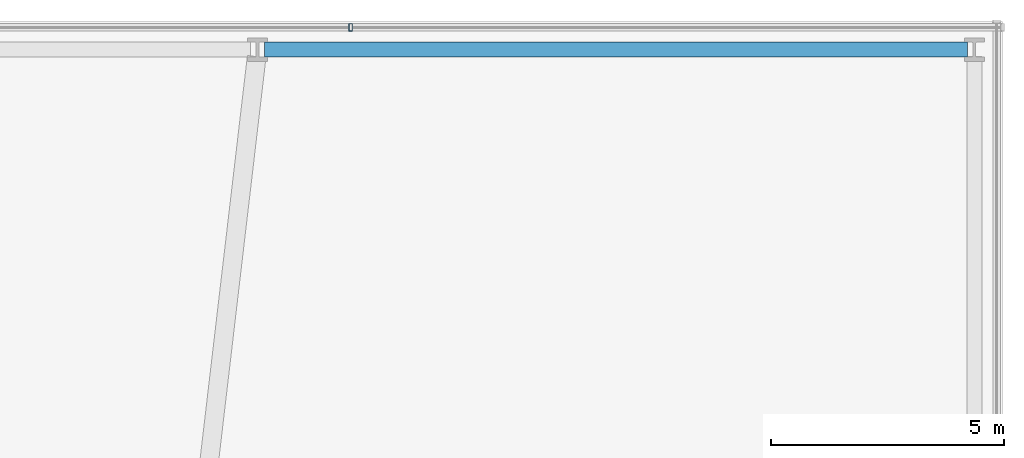
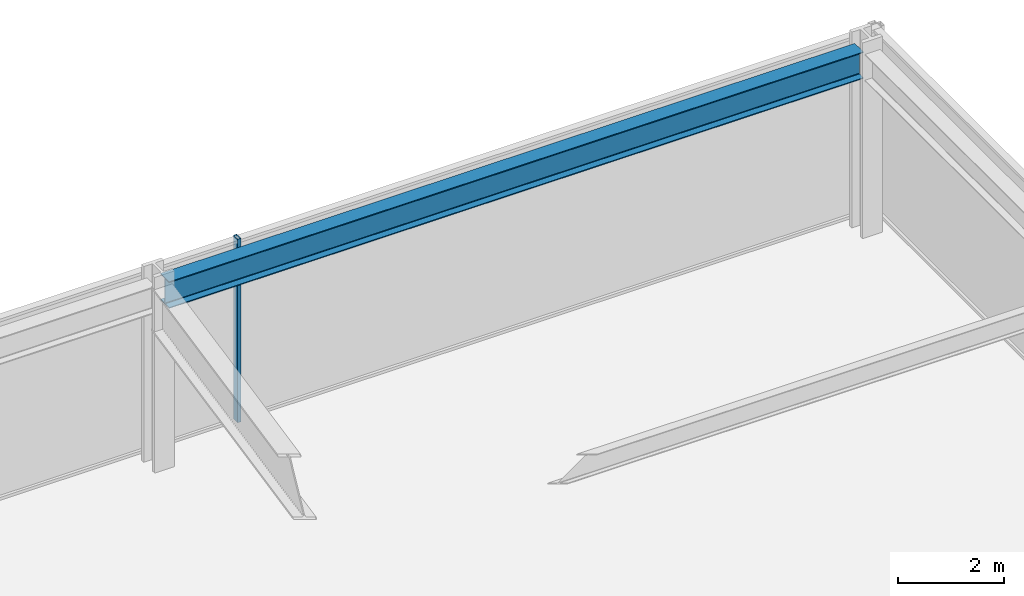
# One storey, part 35 of 47: 1 beam, 1 member, 1 element without a shape of its own.
"""IFC4 building model written with IfcOpenShell, lengths in metres."""

from ifc_helpers import new_model, si_unit, direction, frame, origin, origin_2d, place, context, subcontext, project, spatial, hollow_rectangle, i_section, extrude, material, material_profile, profile_set, type_object, element, aggregate, save


model = new_model("IFC4")

# Units and contexts
model_context = context("Model", 3, precision=1e-05, world=origin(), true_north=direction((0.0, 1.0)))
body_context = subcontext(model_context, "Body", "Model", "MODEL_VIEW")
ifc_project = project(units=[si_unit("LENGTHUNIT", "METRE"), si_unit("AREAUNIT", "SQUARE_METRE"), si_unit("VOLUMEUNIT", "CUBIC_METRE"), si_unit("PLANEANGLEUNIT", "RADIAN"), si_unit("MASSUNIT", "GRAM", prefix="KILO")], contexts=[model_context])

# Site, building, storey
site_placement = place(None, origin())
site = spatial("IfcSite", under=ifc_project, at=site_placement, CompositionType="ELEMENT")
building_placement = place(site_placement, origin())
building = spatial("IfcBuilding", under=site, at=building_placement, Name="Kolvaren Belvedere", CompositionType="ELEMENT")
storey_placement = place(building_placement, frame((0.0, 0.0, 5.5)))
storey = spatial("IfcBuildingStorey", under=building, at=storey_placement, Name="L02", CompositionType="ELEMENT", Elevation=5.5)

# Beam
ifc_material_1 = material(Name="Structural steel ASTM A992 Grade 50", Category="steel")
ifc_material_profile_1 = material_profile(ifc_material_1, i_section(OverallWidth=0.324951171875, OverallDepth=0.615966796875, WebThickness=0.013916015625, FlangeThickness=0.021484375, FilletRadius=0.02001953125, at=origin_2d()), Name="W24X117")
ifc_profile_set_1 = profile_set([ifc_material_profile_1], Name="Structural steel ASTM A992 Grade 50")
beam_type = type_object("IfcBeamType", Name="BM-SPAN-W24X117", PredefinedType="SPANDREL", material=ifc_profile_set_1)
beam_placement = place(storey_placement, frame((12.14990234375, 27.800048828125, 3.912109375), z_axis=(1.0, 0.0, 0.0), x_axis=(0.0, 1.0, 0.0)))
element("IfcBeam", 1, at=beam_placement, inside=storey, type_object=beam_type, Name="L02 North Podium Spandrel 3", PredefinedType="SPANDREL", context=body_context, shape_type="SweptSolid", body=[
    extrude(i_section(OverallWidth=0.324951171875, OverallDepth=0.615966796875, WebThickness=0.013916015625, FlangeThickness=0.021484375, FilletRadius=0.02001953125, at=origin_2d()), origin(), (0.0, 0.0, 1.0), 15.10009765625),
])

# Curtain wall, member
ifc_material_2 = material(Name="Anodised pale-metal aluminium AA 6063-T6", Category="aluminium")
curtain_wall_type = type_object("IfcCurtainWallType", Name="CW-POD-A", PredefinedType="NOTDEFINED", material=ifc_material_2)
curtain_wall_placement = place(storey_placement, origin())
curtain_wall = element("IfcCurtainWall", 2, at=curtain_wall_placement, inside=storey, type_object=curtain_wall_type, Name="L02 Unitised Curtain Wall FCW-L02-SEG7", PredefinedType="NOTDEFINED")
ifc_material_3 = material(Name="Anodised pale-metal aluminium AA 6063-T6", Category="aluminium")
ifc_material_profile_2 = material_profile(ifc_material_3, hollow_rectangle(XDim=0.074951171875, YDim=0.159912109375, WallThickness=0.00439453125, at=origin_2d()), Name="ALU-MUL-160X75")
ifc_profile_set_2 = profile_set([ifc_material_profile_2], Name="Anodised pale-metal aluminium AA 6063-T6")
member_type = type_object("IfcMemberType", Name="CW-MUL-160", PredefinedType="MULLION", material=ifc_profile_set_2)
member_placement = place(storey_placement, frame((14.0, 28.280029296875, 0.0), z_axis=(0.0, 0.0, 1.0), x_axis=(1.0, 0.0, 0.0)))
member = element("IfcMember", 3, at=member_placement, type_object=member_type, Name="FCW-L02-SEG7 Unitised Mullion 4", PredefinedType="MULLION", context=body_context, shape_type="SweptSolid", body=[
    extrude(hollow_rectangle(XDim=0.074951171875, YDim=0.159912109375, WallThickness=0.00439453125, at=origin_2d()), origin(), (0.0, 0.0, 1.0), 4.219970703125),
])
aggregate(curtain_wall, [member])

save(model, "model.ifc")
